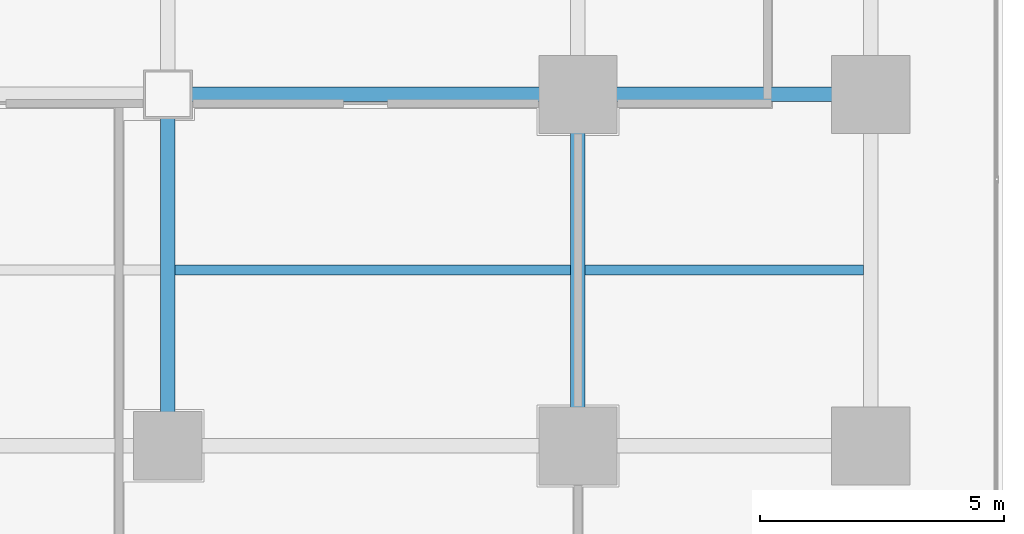
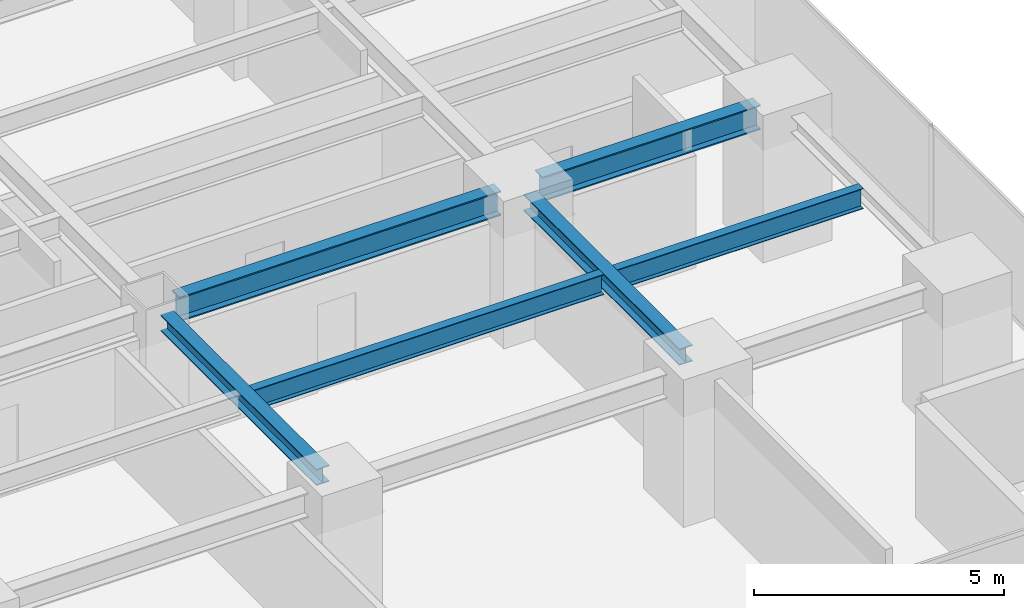
# One storey, part 13 of 37: 6 beams.
"""IFC4 building model written with IfcOpenShell, lengths in metres."""

import ifcopenshell
import ifcopenshell.guid

model = None  # the IFC model being written
_history = None  # IfcOwnerHistory: only IFC2X3 demands one
_inside = {}  # id of a spatial element -> (the spatial element, [elements in it])
_under = {}  # id of a project, library or spatial element -> (it, [spatial elements below it])
_declared = {}  # id of a project -> (the project, [libraries it declares])
_typed = {}  # id of a type object -> (the type object, [elements of that type])
_made_of = {}  # id of a material, layer set ... -> (it, [elements and type objects made of it])


def new_model(schema):
    """Start an empty IFC model of exactly this schema.

    Asked for "IFC4X3", IfcOpenShell would pick the latest addendum, in which some entities
    have other attributes; the version numbers below select the first issue.
    IFC2X3 requires an IfcOwnerHistory on every rooted entity: one is made here for all.
    """
    global model, _history
    if schema == "IFC4X3":
        model = ifcopenshell.file(schema_version=(4, 3, 0, 0))
    else:
        model = ifcopenshell.file(schema=schema)
    _inside.clear()
    _under.clear()
    _declared.clear()
    _typed.clear()
    _made_of.clear()
    _history = None
    if model.schema == "IFC2X3":
        org = make("IfcOrganization", Name="unknown")
        user = make(
            "IfcPersonAndOrganization",
            ThePerson=make("IfcPerson", FamilyName="unknown"),
            TheOrganization=org,
        )
        app = make(
            "IfcApplication",
            ApplicationDeveloper=org,
            Version="unknown",
            ApplicationFullName="unknown",
            ApplicationIdentifier="unknown",
        )
        _history = make(
            "IfcOwnerHistory",
            OwningUser=user,
            OwningApplication=app,
            ChangeAction="ADDED",
            CreationDate=0,
        )
    return model


def make(cls, **values):
    """One entity of the class cls with the attributes given. An attribute that is None is left unset."""
    return model.create_entity(
        cls, **{name: value for name, value in values.items() if value is not None}
    )


def rooted(cls, **values):
    """An entity with a GlobalId (a new one), such as an element, a storey or a relation."""
    return make(cls, GlobalId=ifcopenshell.guid.new(), OwnerHistory=_history, **values)


def si_unit(unit_type, name, prefix=None):
    """IfcSIUnit, for example si_unit("LENGTHUNIT", "METRE", prefix="MILLI")."""
    return make("IfcSIUnit", UnitType=unit_type, Prefix=prefix, Name=name)


def assignment(units):
    """IfcUnitAssignment: the units of a project."""
    return None if units is None else make("IfcUnitAssignment", Units=units)


def point(xyz):
    """IfcCartesianPoint."""
    return None if xyz is None else make("IfcCartesianPoint", Coordinates=xyz)


def direction(xyz):
    """IfcDirection."""
    return None if xyz is None else make("IfcDirection", DirectionRatios=xyz)


def frame(location, z_axis=None, x_axis=None):
    """IfcAxis2Placement3D, a coordinate frame: its origin and axes. An axis left out is left unset."""
    return make(
        "IfcAxis2Placement3D",
        Location=point(location),
        Axis=direction(z_axis),
        RefDirection=direction(x_axis),
    )


def frame_2d(location, x_axis=None):
    """IfcAxis2Placement2D, a coordinate frame in the plane: its origin and x axis."""
    return make(
        "IfcAxis2Placement2D", Location=point(location), RefDirection=direction(x_axis)
    )


def origin():
    """The frame at (0, 0, 0) with its axes left unset."""
    return frame((0.0, 0.0, 0.0))


def origin_2d():
    """The frame at (0, 0) in the plane with its x axis left unset."""
    return frame_2d((0.0, 0.0))


def place(relative_to, where):
    """IfcLocalPlacement: puts the frame where relative to a parent placement (None: the world)."""
    return make(
        "IfcLocalPlacement", PlacementRelTo=relative_to, RelativePlacement=where
    )


def context(
    kind, dimensions, precision=None, world=None, true_north=None, identifier=None
):
    """IfcGeometricRepresentationContext, for example the 3D "Model" context."""
    return make(
        "IfcGeometricRepresentationContext",
        ContextIdentifier=identifier,
        ContextType=kind,
        CoordinateSpaceDimension=dimensions,
        Precision=precision,
        WorldCoordinateSystem=world,
        TrueNorth=true_north,
    )


def subcontext(parent, identifier, kind, view, scale=None):
    """IfcGeometricRepresentationSubContext, for example "Body" below "Model"."""
    return make(
        "IfcGeometricRepresentationSubContext",
        ContextIdentifier=identifier,
        ContextType=kind,
        ParentContext=parent,
        TargetScale=scale,
        TargetView=view,
    )


def project(units=None, contexts=None):
    """IfcProject with its units and contexts."""
    return rooted(
        "IfcProject",
        Name="project",
        RepresentationContexts=contexts,
        UnitsInContext=assignment(units),
    )


def spatial(cls, under=None, at=None, **own):
    """A site, building, storey or space (cls), placed at a placement, below another one or the project."""
    s = rooted(cls, ObjectPlacement=at, **own)
    if under is not None:
        _under.setdefault(under.id(), (under, []))[1].append(s)
    return s


def profile(cls, at=None, kind="AREA", **sizes):
    """A parametric profile (cls). Its sizes go by their IFC names, for example OverallWidth=200.0."""
    return make(cls, ProfileType=kind, Position=at, **sizes)


def i_section(**sizes):
    """IfcIShapeProfileDef."""
    return profile("IfcIShapeProfileDef", **sizes)


def extrude(swept, where, along, depth):
    """IfcExtrudedAreaSolid: the profile swept, set in the frame where, extruded along a direction by depth."""
    return make(
        "IfcExtrudedAreaSolid",
        SweptArea=swept,
        Position=where,
        ExtrudedDirection=direction(along),
        Depth=depth,
    )


def shape(context_of_items, identifier, shape_type, items):
    """IfcShapeRepresentation: the items that make up one representation, for example the "Body"."""
    return make(
        "IfcShapeRepresentation",
        ContextOfItems=context_of_items,
        RepresentationIdentifier=identifier,
        RepresentationType=shape_type,
        Items=items,
    )


def source(mapping_origin, context_of_items, identifier, shape_type, items):
    """IfcRepresentationMap: a shape defined once, which mapped items show again and again."""
    return make(
        "IfcRepresentationMap",
        MappingOrigin=mapping_origin,
        MappedRepresentation=shape(context_of_items, identifier, shape_type, items),
    )


def transform(
    local_origin,
    x_axis=None,
    y_axis=None,
    z_axis=None,
    scale=None,
    scale2=None,
    scale3=None,
    uniform=True,
):
    """IfcCartesianTransformationOperator3D, or its non-uniform kind. x_axis, y_axis, z_axis: its Axis1, 2, 3."""
    if uniform:
        return make(
            "IfcCartesianTransformationOperator3D",
            Axis1=direction(x_axis),
            Axis2=direction(y_axis),
            LocalOrigin=point(local_origin),
            Scale=scale,
            Axis3=direction(z_axis),
        )
    return make(
        "IfcCartesianTransformationOperator3DnonUniform",
        Axis1=direction(x_axis),
        Axis2=direction(y_axis),
        LocalOrigin=point(local_origin),
        Scale=scale,
        Axis3=direction(z_axis),
        Scale2=scale2,
        Scale3=scale3,
    )


def mapped(mapping_source, mapping_target):
    """IfcMappedItem: shows the shape of a source again, moved by a transform."""
    return make(
        "IfcMappedItem", MappingSource=mapping_source, MappingTarget=mapping_target
    )


def material(Name=None, Category=None):
    """IfcMaterial."""
    return make("IfcMaterial", Name=Name, Category=Category)


def material_profile(
    of_material, cross_section, Name=None, Category=None, Priority=None
):
    """IfcMaterialProfile: a cross section and its material."""
    return make(
        "IfcMaterialProfile",
        Name=Name,
        Material=of_material,
        Profile=cross_section,
        Priority=Priority,
        Category=Category,
    )


def profile_set(profiles, Name=None, composite=None):
    """IfcMaterialProfileSet."""
    return make(
        "IfcMaterialProfileSet",
        Name=Name,
        MaterialProfiles=profiles,
        CompositeProfile=composite,
    )


def made_of(thing, what):
    """Note that an element or type object is made of a material, layer set ...; save() writes the relation."""
    if what is not None:
        _made_of.setdefault(what.id(), (what, []))[1].append(thing)
    return thing


def type_object(cls, material=None, **own):
    """A type object (cls), such as IfcWallType, which elements share."""
    return made_of(rooted(cls, **own), material)


def element(
    cls,
    number,
    at=None,
    inside=None,
    cuts=None,
    type_object=None,
    material=None,
    context=None,
    identifier="Body",
    shape_type=None,
    held_by="IfcProductDefinitionShape",
    body=None,
    shapes=None,
    **own,
):
    """One element of the class cls, such as IfcWall. Its Tag is "e" and its number.

    at: its placement. inside: the storey or other place that contains it. cuts: it is an
    opening in that element (IfcRelVoidsElement). A single representation is given by context,
    identifier, shape_type and body (its items); several are given by shapes. held_by: the class
    of the entity that holds the representations. save() writes the other relations.
    """
    e = rooted(cls, Tag="e%d" % number, ObjectPlacement=at, **own)
    if body is not None:
        shapes = [shape(context, identifier, shape_type, body)]
    if shapes is not None:
        e.Representation = make(held_by, Representations=shapes)
    if inside is not None:
        _inside.setdefault(inside.id(), (inside, []))[1].append(e)
    if cuts is not None:
        rooted(
            "IfcRelVoidsElement", RelatingBuildingElement=cuts, RelatedOpeningElement=e
        )
    if type_object is not None:
        _typed.setdefault(type_object.id(), (type_object, []))[1].append(e)
    return made_of(e, material)


def aggregate(whole, parts):
    """IfcRelAggregates: a whole, such as a stair, and the parts it consists of."""
    return rooted("IfcRelAggregates", RelatingObject=whole, RelatedObjects=parts)


def save(model, path):
    """Write the relations noted so far, then the file.

    IfcRelAggregates (storeys below a building ...), IfcRelContainedInSpatialStructure (elements
    in a storey), IfcRelDefinesByType, IfcRelAssociatesMaterial and IfcRelDeclares: one each for
    every whole, place, type object, material and project.
    """
    for whole, parts in _under.values():
        aggregate(whole, parts)
    for where, things in _inside.values():
        rooted(
            "IfcRelContainedInSpatialStructure",
            RelatedElements=things,
            RelatingStructure=where,
        )
    for kind, things in _typed.values():
        rooted("IfcRelDefinesByType", RelatedObjects=things, RelatingType=kind)
    for what, things in _made_of.values():
        rooted("IfcRelAssociatesMaterial", RelatedObjects=things, RelatingMaterial=what)
    for by, libraries in _declared.values():
        rooted("IfcRelDeclares", RelatingContext=by, RelatedDefinitions=libraries)
    model.write(path)


model = new_model("IFC4")

# Units and contexts
model_context = context("Model", 3, precision=1e-05, world=origin(), true_north=direction((0.0, 1.0)))
body_context = subcontext(model_context, "Body", "Model", "MODEL_VIEW")
ifc_project = project(units=[si_unit("LENGTHUNIT", "METRE"), si_unit("AREAUNIT", "SQUARE_METRE"), si_unit("VOLUMEUNIT", "CUBIC_METRE"), si_unit("PLANEANGLEUNIT", "RADIAN"), si_unit("MASSUNIT", "GRAM", prefix="KILO")], contexts=[model_context])

# Site, building, storey
site_placement = place(None, origin())
site = spatial("IfcSite", under=ifc_project, at=site_placement, CompositionType="ELEMENT")
building_placement = place(site_placement, origin())
building = spatial("IfcBuilding", under=site, at=building_placement, Name="Sumidabori Civic Tower", CompositionType="ELEMENT")
storey_placement = place(building_placement, frame((0.0, 0.0, 110.0)))
storey = spatial("IfcBuildingStorey", under=building, at=storey_placement, Name="L28", CompositionType="ELEMENT", Elevation=110.0)

# Beams
ifc_material = material(Name="Steel SN490", Category="steel")
ifc_material_profile_1 = material_profile(ifc_material, i_section(OverallWidth=0.300048828125, OverallDepth=0.60009765625, WebThickness=0.015380859375, FlangeThickness=0.030029296875, at=origin_2d()), Name="HE 600 B")
ifc_profile_set_1 = profile_set([ifc_material_profile_1], Name="Steel SN490")
beam_type_1 = type_object("IfcBeamType", Name="BM-GIRD-600", PredefinedType="BEAM", material=ifc_profile_set_1)
shared_shape_1 = source(origin(), body_context, "Body", "SweptSolid", [
    extrude(i_section(OverallWidth=0.300048828125, OverallDepth=0.60009765625, WebThickness=0.015380859375, FlangeThickness=0.030029296875, at=origin_2d()), origin(), (0.0, 0.0, 1.0), 5.0400390625),
])
beam_1_placement = place(storey_placement, frame((17.280029296875, -10.800048828125, 3.06005859375), z_axis=(1.0, 0.0, 0.0), x_axis=(0.0, 1.0, 0.0)))
element("IfcBeam", 1, at=beam_1_placement, inside=storey, type_object=beam_type_1, Name="Primary Girder L28 GX-12", PredefinedType="BEAM", context=body_context, shape_type="MappedRepresentation", body=[
    mapped(shared_shape_1, transform((0.0, 0.0, 0.0), x_axis=(1.0, 0.0, 0.0), y_axis=(0.0, 1.0, 0.0), z_axis=(0.0, 0.0, 1.0), scale=1.0)),
])
shared_shape_2 = source(origin(), body_context, "Body", "SweptSolid", [
    extrude(i_section(OverallWidth=0.300048828125, OverallDepth=0.60009765625, WebThickness=0.015380859375, FlangeThickness=0.030029296875, at=origin_2d()), origin(), (0.0, 0.0, 1.0), 7.440185546875),
])
beam_2_placement = place(storey_placement, frame((8.8798828125, -10.800048828125, 3.06005859375), z_axis=(1.0, 0.0, 0.0), x_axis=(0.0, 1.0, 0.0)))
element("IfcBeam", 2, at=beam_2_placement, inside=storey, type_object=beam_type_1, Name="Primary Girder L28 GX-11", PredefinedType="BEAM", context=body_context, shape_type="MappedRepresentation", body=[
    mapped(shared_shape_2, transform((0.0, 0.0, 0.0), x_axis=(1.0, 0.0, 0.0), y_axis=(0.0, 1.0, 0.0), z_axis=(0.0, 0.0, 1.0), scale=1.0)),
])
ifc_material_profile_2 = material_profile(ifc_material, i_section(OverallWidth=0.300048828125, OverallDepth=0.39990234375, WebThickness=0.013427734375, FlangeThickness=0.02392578125, at=origin_2d()), Name="HE 400 B")
ifc_profile_set_2 = profile_set([ifc_material_profile_2], Name="Steel SN490")
beam_type_2 = type_object("IfcBeamType", Name="BM-GIRD-400", PredefinedType="BEAM", material=ifc_profile_set_2)
shared_shape_3 = source(origin(), body_context, "Body", "SweptSolid", [
    extrude(i_section(OverallWidth=0.300048828125, OverallDepth=0.39990234375, WebThickness=0.013427734375, FlangeThickness=0.02392578125, at=origin_2d()), origin(), (0.0, 0.0, 1.0), 6.239990234375),
])
for number, where, z_axis, x_axis, name in (
    (3, (8.39990234375, -17.52001953125, 3.159912109375), (0.0, 1.0, 0.0), (-1.0, 0.0, 0.0), "Primary Girder L28 GY-33"),
    (4, (16.800048828125, -17.52001953125, 3.159912109375), (0.0, 1.0, 0.0), (-1.0, 0.0, 0.0), "Primary Girder L28 GY-35"),
):
    element("IfcBeam", number, at=place(storey_placement, frame(where, z_axis=z_axis, x_axis=x_axis)), inside=storey, type_object=beam_type_2, Name=name, PredefinedType="BEAM", context=body_context, shape_type="MappedRepresentation", body=[
        mapped(shared_shape_3, transform((0.0, 0.0, 0.0), x_axis=(1.0, 0.0, 0.0), y_axis=(0.0, 1.0, 0.0), z_axis=(0.0, 0.0, 1.0), scale=1.0)),
    ])
ifc_material_profile_3 = material_profile(ifc_material, i_section(OverallWidth=0.199951171875, OverallDepth=0.5, WebThickness=0.01025390625, FlangeThickness=0.01611328125, at=origin_2d()), Name="IPE 500")
ifc_profile_set_3 = profile_set([ifc_material_profile_3], Name="Steel SN490")
beam_type_3 = type_object("IfcBeamType", Name="BM-JST-500", PredefinedType="JOIST", material=ifc_profile_set_3)
shared_shape_4 = source(origin(), body_context, "Body", "SweptSolid", [
    extrude(i_section(OverallWidth=0.199951171875, OverallDepth=0.5, WebThickness=0.01025390625, FlangeThickness=0.01611328125, at=origin_2d()), origin(), (0.0, 0.0, 1.0), 5.699951171875),
])
beam_3_placement = place(storey_placement, frame((16.949951171875, -14.39990234375, 3.110107421875), z_axis=(1.0, 0.0, 0.0), x_axis=(0.0, 1.0, 0.0)))
element("IfcBeam", 5, at=beam_3_placement, inside=storey, type_object=beam_type_3, Name="Outer Bay Floor Joist L28 JSTO-52", PredefinedType="JOIST", context=body_context, shape_type="MappedRepresentation", body=[
    mapped(shared_shape_4, transform((0.0, 0.0, 0.0), x_axis=(1.0, 0.0, 0.0), y_axis=(0.0, 1.0, 0.0), z_axis=(0.0, 0.0, 1.0), scale=1.0)),
])
shared_shape_5 = source(origin(), body_context, "Body", "SweptSolid", [
    extrude(i_section(OverallWidth=0.199951171875, OverallDepth=0.5, WebThickness=0.01025390625, FlangeThickness=0.01611328125, at=origin_2d()), origin(), (0.0, 0.0, 1.0), 8.099853515625),
])
beam_4_placement = place(storey_placement, frame((8.550048828125, -14.39990234375, 3.110107421875), z_axis=(1.0, 0.0, 0.0), x_axis=(0.0, 1.0, 0.0)))
element("IfcBeam", 6, at=beam_4_placement, inside=storey, type_object=beam_type_3, Name="South Bay Floor Joist L28 JSTS-58", PredefinedType="JOIST", context=body_context, shape_type="MappedRepresentation", body=[
    mapped(shared_shape_5, transform((0.0, 0.0, 0.0), x_axis=(1.0, 0.0, 0.0), y_axis=(0.0, 1.0, 0.0), z_axis=(0.0, 0.0, 1.0), scale=1.0)),
])

save(model, "model.ifc")
